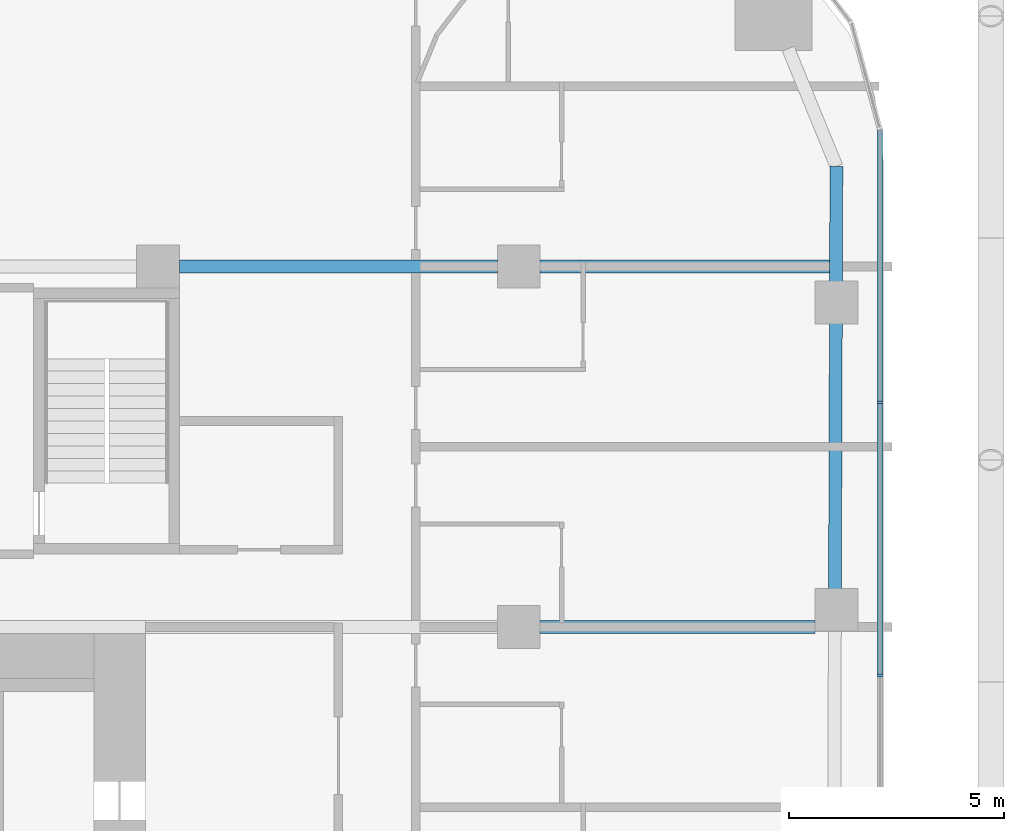
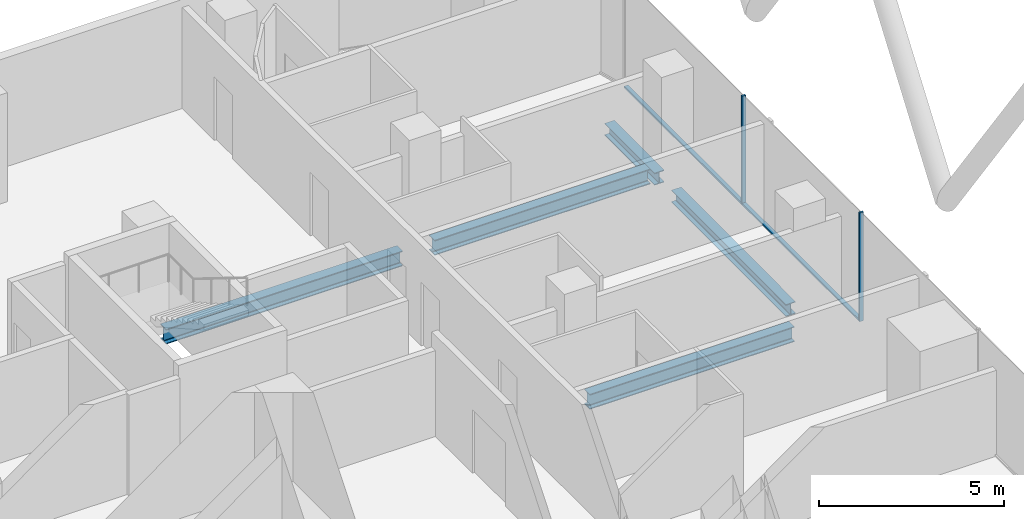
# One storey, part 12 of 34: 5 beams, 4 members, 1 element without a shape of its own.
"""IFC4 building model written with IfcOpenShell, lengths in metres."""

from ifc_helpers import new_model, si_unit, direction, frame, origin, origin_2d, place, context, subcontext, project, spatial, rectangle, i_section, extrude, material, layer, layer_set, material_profile, profile_set, type_object, element, aggregate, save


model = new_model("IFC4")

# Units and contexts
model_context = context("Model", 3, precision=1e-05, world=origin(), true_north=direction((0.0, 1.0)))
body_context = subcontext(model_context, "Body", "Model", "MODEL_VIEW")
ifc_project = project(units=[si_unit("LENGTHUNIT", "METRE"), si_unit("AREAUNIT", "SQUARE_METRE"), si_unit("VOLUMEUNIT", "CUBIC_METRE"), si_unit("PLANEANGLEUNIT", "RADIAN"), si_unit("MASSUNIT", "GRAM", prefix="KILO")], contexts=[model_context])

# Site, building, storey
site_placement = place(None, origin())
site = spatial("IfcSite", under=ifc_project, at=site_placement, CompositionType="ELEMENT")
building_placement = place(site_placement, origin())
building = spatial("IfcBuilding", under=site, at=building_placement, Name="Marenta Gate Hotel Tower", CompositionType="ELEMENT")
storey_placement = place(building_placement, frame((0.0, 0.0, 47.300048828125)))
storey = spatial("IfcBuildingStorey", under=building, at=storey_placement, Name="L09", CompositionType="ELEMENT", Elevation=47.300048828125)

# Beams
ifc_material_1 = material(Name="Steel S355", Category="steel")
ifc_material_profile_1 = material_profile(ifc_material_1, i_section(OverallWidth=0.300048828125, OverallDepth=0.39990234375, WebThickness=0.013427734375, FlangeThickness=0.02392578125, FilletRadius=0.027099609375, at=origin_2d()), Name="HEB 400")
ifc_profile_set_1 = profile_set([ifc_material_profile_1], Name="Steel S355")
beam_type_1 = type_object("IfcBeamType", Name="Edge beam HEB 400", PredefinedType="SPANDREL", material=ifc_profile_set_1)
beam_1_placement = place(storey_placement, frame((28.39990234375, 27.534423828125, -0.4599609375), z_axis=(-0.003323434444, -0.999994477376, 0.0), x_axis=(0.999994477376, -0.003323434444, 0.0)))
element("IfcBeam", 1, at=beam_1_placement, inside=storey, type_object=beam_type_1, Name="L09-EB-22", PredefinedType="SPANDREL", context=body_context, shape_type="SweptSolid", body=[
    extrude(i_section(OverallWidth=0.300048828125, OverallDepth=0.39990234375, WebThickness=0.013427734375, FlangeThickness=0.02392578125, FilletRadius=0.027099609375, at=origin_2d()), origin(), (0.0, 0.0, 1.0), 2.718017578125),
])
beam_2_placement = place(storey_placement, frame((28.387939453125, 23.896484375, -0.4599609375), z_axis=(-0.003329137121, -0.999994458408, 0.0), x_axis=(0.999994458408, -0.003329137121, 0.0)))
element("IfcBeam", 2, at=beam_2_placement, inside=storey, type_object=beam_type_1, Name="L09-EB-23", PredefinedType="SPANDREL", context=body_context, shape_type="SweptSolid", body=[
    extrude(i_section(OverallWidth=0.300048828125, OverallDepth=0.39990234375, WebThickness=0.013427734375, FlangeThickness=0.02392578125, FilletRadius=0.027099609375, at=origin_2d()), origin(), (0.0, 0.0, 1.0), 6.2333984375),
])
ifc_material_2 = material(Name="Steel S355", Category="steel")
ifc_material_profile_2 = material_profile(ifc_material_2, i_section(OverallWidth=0.300048828125, OverallDepth=0.5, WebThickness=0.014404296875, FlangeThickness=0.028076171875, FilletRadius=0.027099609375, at=origin_2d()), Name="HEB 500")
ifc_profile_set_2 = profile_set([ifc_material_profile_2], Name="Steel S355")
beam_type_2 = type_object("IfcBeamType", Name="Girder HEB 500", PredefinedType="BEAM", material=ifc_profile_set_2)
beam_3_placement = place(storey_placement, frame((21.5, 16.800048828125, -0.510009765625), z_axis=(1.0, 0.0, 0.0), x_axis=(0.0, 1.0, 0.0)))
element("IfcBeam", 3, at=beam_3_placement, inside=storey, type_object=beam_type_2, Name="L09-GD-21", PredefinedType="BEAM", context=body_context, shape_type="SweptSolid", body=[
    extrude(i_section(OverallWidth=0.300048828125, OverallDepth=0.5, WebThickness=0.014404296875, FlangeThickness=0.028076171875, FilletRadius=0.027099609375, at=origin_2d()), origin(), (0.0, 0.0, 1.0), 6.39990234375),
])
beam_4_placement = place(storey_placement, frame((13.10009765625, 25.199951171875, -0.510009765625), z_axis=(1.0, 0.0, 0.0), x_axis=(0.0, 1.0, 0.0)))
element("IfcBeam", 4, at=beam_4_placement, inside=storey, type_object=beam_type_2, Name="L09-GD-27", PredefinedType="BEAM", context=body_context, shape_type="SweptSolid", body=[
    extrude(i_section(OverallWidth=0.300048828125, OverallDepth=0.5, WebThickness=0.014404296875, FlangeThickness=0.028076171875, FilletRadius=0.027099609375, at=origin_2d()), origin(), (0.0, 0.0, 1.0), 7.39990234375),
])
beam_5_placement = place(storey_placement, frame((21.5, 25.199951171875, -0.510009765625), z_axis=(1.0, 0.0, 0.0), x_axis=(0.0, 1.0, 0.0)))
element("IfcBeam", 5, at=beam_5_placement, inside=storey, type_object=beam_type_2, Name="L09-GD-28", PredefinedType="BEAM", context=body_context, shape_type="SweptSolid", body=[
    extrude(i_section(OverallWidth=0.300048828125, OverallDepth=0.5, WebThickness=0.014404296875, FlangeThickness=0.028076171875, FilletRadius=0.027099609375, at=origin_2d()), origin(), (0.0, 0.0, 1.0), 6.7421875),
])

# Curtain wall, members
ifc_material_3 = material(Name="Tinted insulated glass in bronze anodised frame", Category="glass")
ifc_layer = layer(ifc_material_3, 0.1201171875)
ifc_layer_set = layer_set([ifc_layer], Name="Tinted insulated glass in bronze anodised frame")
curtain_wall_type = type_object("IfcCurtainWallType", Name="Tower unitised curtain wall CW1", PredefinedType="NOTDEFINED", material=ifc_layer_set)
curtain_wall_placement = place(storey_placement, origin())
curtain_wall = element("IfcCurtainWall", 6, at=curtain_wall_placement, inside=storey, type_object=curtain_wall_type, Name="CW1 run G18", PredefinedType="NOTDEFINED")
ifc_material_4 = material(Name="Bronze anodised aluminium", Category="aluminium")
ifc_material_profile_3 = material_profile(ifc_material_4, rectangle(XDim=0.1201171875, YDim=0.06005859375, at=origin_2d()), Name="Mullion CW1 60x120 bronze anodised aluminium")
ifc_profile_set_3 = profile_set([ifc_material_profile_3], Name="Bronze anodised aluminium")
member_type_1 = type_object("IfcMemberType", Name="Mullion CW1 60x120 bronze anodised aluminium", PredefinedType="MULLION", material=ifc_profile_set_3)
member_1_placement = place(storey_placement, frame((29.4140625, 15.671875, 0.0), z_axis=(0.0, 0.0, 1.0), x_axis=(-1.0, 0.0, 0.0)))
member_1 = element("IfcMember", 7, at=member_1_placement, type_object=member_type_1, Name="CW1 mullion 5", PredefinedType="MULLION", context=body_context, shape_type="SweptSolid", body=[
    extrude(rectangle(XDim=0.1201171875, YDim=0.06005859375, at=origin_2d()), origin(), (0.0, 0.0, 1.0), 3.599853515625),
])
member_2_placement = place(storey_placement, frame((29.4140625, 22.031982421875, 0.0), z_axis=(0.0, 0.0, 1.0), x_axis=(-1.0, 0.0, 0.0)))
member_2 = element("IfcMember", 8, at=member_2_placement, type_object=member_type_1, Name="CW1 mullion 6", PredefinedType="MULLION", context=body_context, shape_type="SweptSolid", body=[
    extrude(rectangle(XDim=0.1201171875, YDim=0.06005859375, at=origin_2d()), origin(), (0.0, 0.0, 1.0), 3.599853515625),
])
ifc_material_5 = material(Name="Bronze anodised aluminium", Category="aluminium")
ifc_material_profile_4 = material_profile(ifc_material_5, rectangle(XDim=0.1201171875, YDim=0.06005859375, at=origin_2d()), Name="Transom CW1 60x120 bronze anodised aluminium")
ifc_profile_set_4 = profile_set([ifc_material_profile_4], Name="Bronze anodised aluminium")
member_type_2 = type_object("IfcMemberType", Name="Transom CW1 60x120 bronze anodised aluminium", PredefinedType="USERDEFINED", material=ifc_profile_set_4)
member_3_placement = place(storey_placement, frame((29.4140625, 15.701904296875, 0.030029296875), z_axis=(0.0, 1.0, 0.0), x_axis=(-1.0, 0.0, 0.0)))
member_3 = element("IfcMember", 9, at=member_3_placement, type_object=member_type_2, Name="CW1 transom 5.1", ObjectType="TRANSOM", PredefinedType="USERDEFINED", context=body_context, shape_type="SweptSolid", body=[
    extrude(rectangle(XDim=0.1201171875, YDim=0.06005859375, at=origin_2d()), origin(), (0.0, 0.0, 1.0), 6.300048828125),
])
member_4_placement = place(storey_placement, frame((29.4140625, 22.06201171875, 0.030029296875), z_axis=(0.0, 1.0, 0.0), x_axis=(-1.0, 0.0, 0.0)))
member_4 = element("IfcMember", 10, at=member_4_placement, type_object=member_type_2, Name="CW1 transom 6.1", ObjectType="TRANSOM", PredefinedType="USERDEFINED", context=body_context, shape_type="SweptSolid", body=[
    extrude(rectangle(XDim=0.1201171875, YDim=0.06005859375, at=origin_2d()), origin(), (0.0, 0.0, 1.0), 6.329833984375),
])
aggregate(curtain_wall, [member_1, member_2, member_3, member_4])

save(model, "model.ifc")
